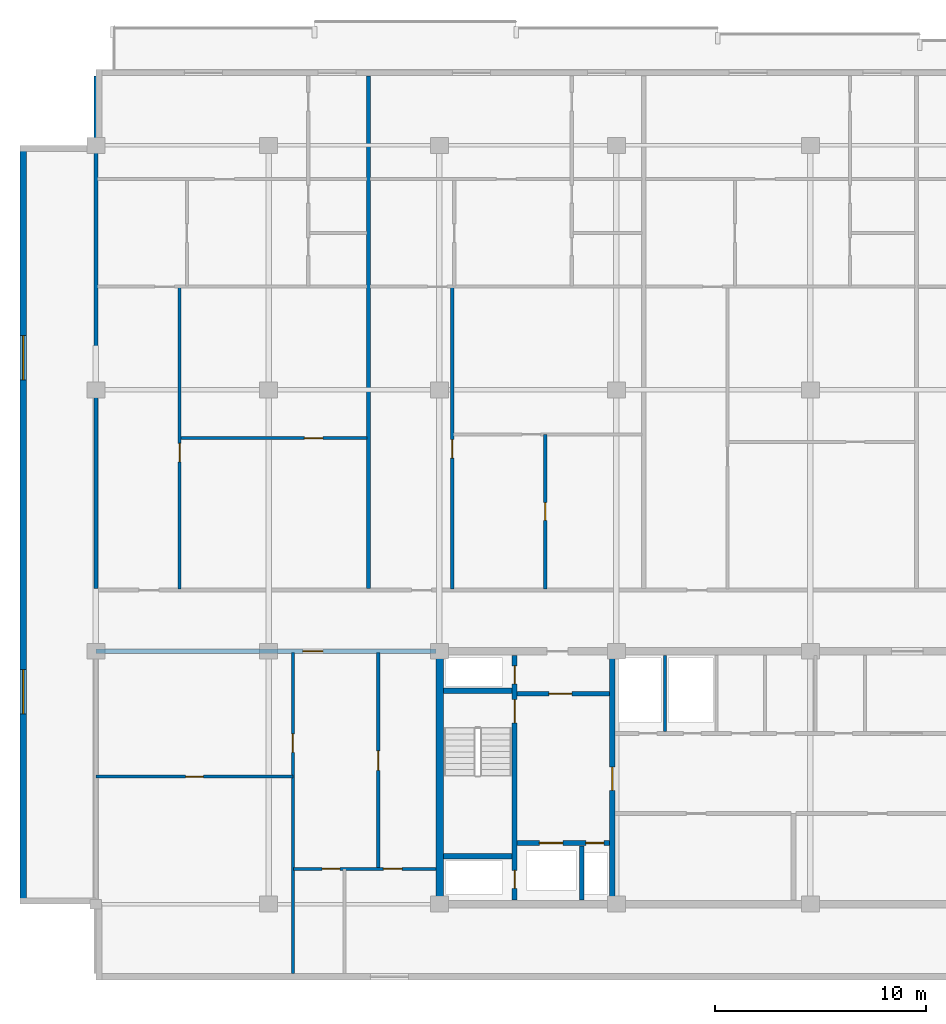
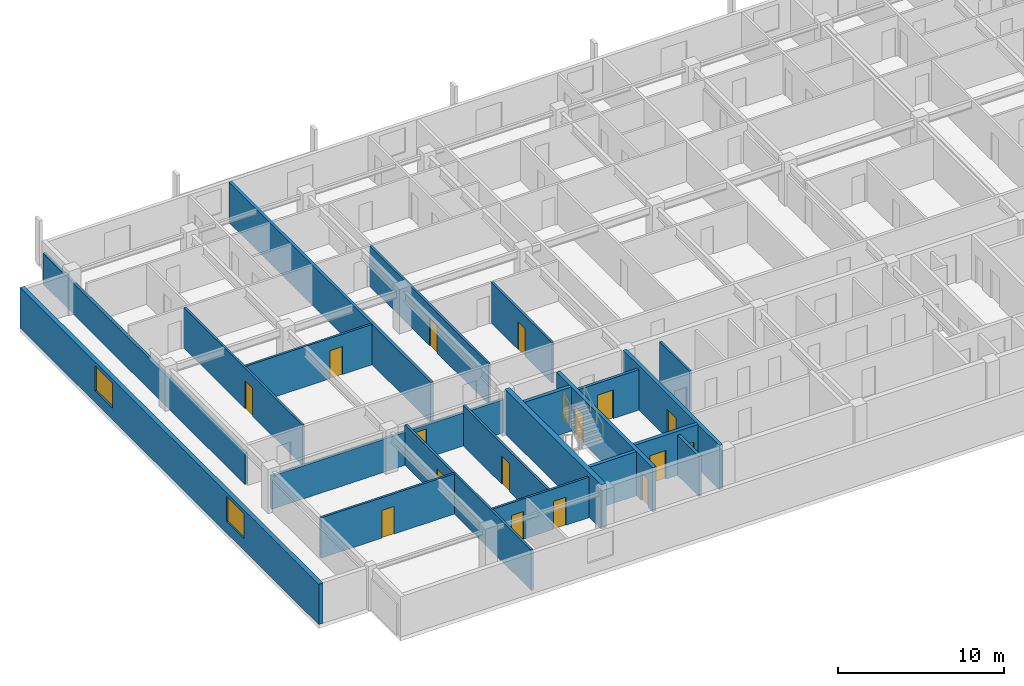
# One storey, part 3 of 11: 21 walls, 17 doors, 2 windows, 19 openings.
"""IFC4 building model written with IfcOpenShell, lengths in metres."""

from ifc_helpers import new_model, si_unit, direction, frame, frame_2d, origin, place, context, subcontext, project, spatial, rectangle, extrude, material, layer, layer_set, type_object, element, fill, save


model = new_model("IFC4")

# Units and contexts
model_context = context("Model", 3, precision=1e-05, world=origin(), true_north=direction((0.0, 1.0)))
body_context = subcontext(model_context, "Body", "Model", "MODEL_VIEW")
ifc_project = project(units=[si_unit("LENGTHUNIT", "METRE"), si_unit("AREAUNIT", "SQUARE_METRE"), si_unit("VOLUMEUNIT", "CUBIC_METRE"), si_unit("PLANEANGLEUNIT", "RADIAN"), si_unit("MASSUNIT", "GRAM", prefix="KILO")], contexts=[model_context])

# Site, building, storey
site_placement = place(None, origin())
site = spatial("IfcSite", under=ifc_project, at=site_placement, CompositionType="ELEMENT")
building_placement = place(site_placement, origin())
building = spatial("IfcBuilding", under=site, at=building_placement, Name="Korimba Cascade Residences", CompositionType="ELEMENT")
storey_placement = place(building_placement, frame((0.0, 0.0, 210.85009765625)))
storey = spatial("IfcBuildingStorey", under=building, at=storey_placement, Name="L61", CompositionType="ELEMENT", Elevation=210.85009765625)

# Wall, openings, windows
ifc_material_1 = material(Name="Precast concrete C40/50", Category="concrete")
ifc_layer_1 = layer(ifc_material_1, 0.300048828125)
ifc_layer_set_1 = layer_set([ifc_layer_1], Name="Precast concrete C40/50")
wall_type_1 = type_object("IfcWallType", Name="EW-STONE-300", PredefinedType="STANDARD", material=ifc_layer_set_1)
wall_1_placement = place(storey_placement, frame((56.35009765625, 91.199951171875, 0.0), z_axis=(0.0, 0.0, 1.0), x_axis=(0.0, -1.0, 0.0)))
wall_1 = element("IfcWall", 1, at=wall_1_placement, inside=storey, type_object=wall_type_1, Name="L61 T1 Perimeter Stone Wall E09", PredefinedType="STANDARD", context=body_context, shape_type="SweptSolid", body=[
    extrude(rectangle(XDim=36.0, YDim=0.300048828125, at=frame_2d((18.0, 0.0))), origin(), (0.0, 0.0, 1.0), 2.969970703125),
])
opening_1_placement = place(wall_1_placement, frame((9.030029296875, 0.0, 0.85009765625)))
opening_1 = element("IfcOpeningElement", 2, at=opening_1_placement, cuts=wall_1, Name="Opening W-03", PredefinedType="OPENING", context=body_context, shape_type="SweptSolid", body=[
    extrude(rectangle(XDim=2.10009765625, YDim=1.85009765625, at=frame_2d((1.050048828125, 0.925048828125))), frame((0.0, 0.16015625, 0.0), z_axis=(0.0, -1.0, 0.0), x_axis=(1.0, 0.0, 0.0)), (0.0, 0.0, 1.0), 0.320068359375),
])
opening_2_placement = place(wall_1_placement, frame((24.8701171875, 0.0, 0.85009765625)))
opening_2 = element("IfcOpeningElement", 3, at=opening_2_placement, cuts=wall_1, Name="Opening W-03", PredefinedType="OPENING", context=body_context, shape_type="SweptSolid", body=[
    extrude(rectangle(XDim=2.10009765625, YDim=1.85009765625, at=frame_2d((1.050048828125, 0.925048828125))), frame((0.0, 0.16015625, 0.0), z_axis=(0.0, -1.0, 0.0), x_axis=(1.0, 0.0, 0.0)), (0.0, 0.0, 1.0), 0.320068359375),
])
ifc_material_2 = material(Name="Double-Glazed Aluminium Window", Category="aluminium")
window_type = type_object("IfcWindowType", Name="WIN-CRN-2100", PartitioningType="DOUBLE_PANEL_HORIZONTAL", PredefinedType="WINDOW", material=ifc_material_2)
window_1_placement = place(opening_1_placement, origin())
window_1 = element("IfcWindow", 4, at=window_1_placement, inside=storey, type_object=window_type, Name="L61 T1 End View Window 9.1", OverallHeight=1.85009765625, OverallWidth=2.10009765625, PartitioningType="DOUBLE_PANEL_HORIZONTAL", PredefinedType="WINDOW", context=body_context, shape_type="SweptSolid", body=[
    extrude(rectangle(XDim=2.10009765625, YDim=1.85009765625, at=frame_2d((1.050048828125, 0.925048828125))), frame((0.0, 0.030029296875, 0.0), z_axis=(0.0, -1.0, 0.0), x_axis=(1.0, 0.0, 0.0)), (0.0, 0.0, 1.0), 0.06005859375),
])
fill(opening_1, window_1)
window_2_placement = place(opening_2_placement, origin())
window_2 = element("IfcWindow", 5, at=window_2_placement, inside=storey, type_object=window_type, Name="L61 T1 End View Window 9.2", OverallHeight=1.85009765625, OverallWidth=2.10009765625, PartitioningType="DOUBLE_PANEL_HORIZONTAL", PredefinedType="WINDOW", context=body_context, shape_type="SweptSolid", body=[
    extrude(rectangle(XDim=2.10009765625, YDim=1.85009765625, at=frame_2d((1.050048828125, 0.925048828125))), frame((0.0, 0.030029296875, 0.0), z_axis=(0.0, -1.0, 0.0), x_axis=(1.0, 0.0, 0.0)), (0.0, 0.0, 1.0), 0.06005859375),
])
fill(opening_2, window_2)

# Wall
ifc_material_3 = material(Name="Concrete C65/80", Category="concrete")
ifc_layer_2 = layer(ifc_material_3, 0.35009765625)
ifc_layer_set_2 = layer_set([ifc_layer_2], Name="Concrete C65/80")
wall_type_2 = type_object("IfcWallType", Name="WAL-CORE-350", PredefinedType="SHEAR", material=ifc_layer_set_2)
wall_2_placement = place(storey_placement, frame((76.125, 55.375, 0.0), z_axis=(0.0, 0.0, 1.0), x_axis=(0.0, 1.0, 0.0)))
element("IfcWall", 6, at=wall_2_placement, inside=storey, type_object=wall_type_2, Name="L61 Core Shear Wall CW-L61-T1-W", PredefinedType="SHEAR", context=body_context, shape_type="SweptSolid", body=[
    extrude(rectangle(XDim=11.64990234375, YDim=0.35009765625, at=frame_2d((5.824951171875, 0.0))), origin(), (0.0, 0.0, 1.0), 3.25),
])

# Wall, opening, door
ifc_layer_3 = layer(ifc_material_1, 0.199951171875)
ifc_layer_set_3 = layer_set([ifc_layer_3], Name="Precast concrete C40/50")
wall_type_3 = type_object("IfcWallType", Name="WAL-IT-200", PredefinedType="PARTITIONING", material=ifc_layer_set_3)
wall_3_placement = place(storey_placement, frame((59.800048828125, 67.199951171875, 0.0), z_axis=(0.0, 0.0, 1.0), x_axis=(1.0, 0.0, 0.0)))
wall_3 = element("IfcWall", 7, at=wall_3_placement, inside=storey, type_object=wall_type_3, Name="L61 Partition Wall WAL-L61-T1-FW-N", PredefinedType="PARTITIONING", context=body_context, shape_type="SweptSolid", body=[
    extrude(rectangle(XDim=16.14990234375, YDim=0.199951171875, at=frame_2d((8.074951171875, 0.0))), origin(), (0.0, 0.0, 1.0), 2.43310546875),
])
opening_3_placement = place(wall_3_placement, frame((9.823486328125, 0.0, 0.0)))
opening_3 = element("IfcOpeningElement", 8, at=opening_3_placement, cuts=wall_3, Name="Opening D-UN1", PredefinedType="OPENING", context=body_context, shape_type="SweptSolid", body=[
    extrude(rectangle(XDim=0.949951171875, YDim=2.14990234375, at=frame_2d((0.47509765625, 1.074951171875))), frame((0.0, 0.10986328125, 0.0), z_axis=(0.0, -1.0, 0.0), x_axis=(1.0, 0.0, 0.0)), (0.0, 0.0, 1.0), 0.219970703125),
])
ifc_material_4 = material(Name="Fire-Rated Hardwood Apartment Entrance Door", Category="wood")
door_type_1 = type_object("IfcDoorType", Name="DR-FD60-950", OperationType="NOTDEFINED", PredefinedType="DOOR", material=ifc_material_4)
door_1_placement = place(opening_3_placement, origin())
door_1 = element("IfcDoor", 9, at=door_1_placement, inside=storey, type_object=door_type_1, Name="L61-T1-FW Entrance Door", OperationType="SINGLE_SWING_LEFT", OverallHeight=2.14990234375, OverallWidth=0.949951171875, PredefinedType="DOOR", context=body_context, shape_type="SweptSolid", body=[
    extrude(rectangle(XDim=0.949951171875, YDim=2.14990234375, at=frame_2d((0.47509765625, 1.074951171875))), frame((0.0, 0.02490234375, 0.0), z_axis=(0.0, -1.0, 0.0), x_axis=(1.0, 0.0, 0.0)), (0.0, 0.0, 1.0), 0.050048828125),
])
fill(opening_3, door_1)

# Walls
wall_4_placement = place(storey_placement, frame((59.800048828125, 70.179931640625, 0.0), z_axis=(0.0, 0.0, 1.0), x_axis=(0.0, 1.0, 0.0)))
element("IfcWall", 10, at=wall_4_placement, inside=storey, type_object=wall_type_3, Name="L61 Partition Wall WAL-L61-T1-BNDWL", PredefinedType="PARTITIONING", context=body_context, shape_type="SweptSolid", body=[
    extrude(rectangle(XDim=24.320068359375, YDim=0.199951171875, at=frame_2d((12.16015625, 0.0))), origin(), (0.0, 0.0, 1.0), 2.277099609375),
])
wall_5_placement = place(storey_placement, frame((72.736083984375, 70.179931640625, 0.0), z_axis=(0.0, 0.0, 1.0), x_axis=(0.0, 1.0, 0.0)))
element("IfcWall", 11, at=wall_5_placement, inside=storey, type_object=wall_type_3, Name="L61 Partition Wall WAL-L61-T1-DEM-1", PredefinedType="PARTITIONING", context=body_context, shape_type="SweptSolid", body=[
    extrude(rectangle(XDim=24.320068359375, YDim=0.199951171875, at=frame_2d((12.16015625, 0.0))), origin(), (0.0, 0.0, 1.0), 2.969970703125),
])
ifc_material_5 = material(Name="Insulated Acoustic Stud Partition", Category="gypsum")
ifc_layer_4 = layer(ifc_material_5, 0.14990234375)
ifc_layer_set_4 = layer_set([ifc_layer_4], Name="Insulated Acoustic Stud Partition")
wall_type_4 = type_object("IfcWallType", Name="WAL-PART-150", PredefinedType="PARTITIONING", material=ifc_layer_set_4)
wall_6_placement = place(storey_placement, frame((86.800048828125, 63.39990234375, 0.0), z_axis=(0.0, 0.0, 1.0), x_axis=(0.0, 1.0, 0.0)))
element("IfcWall", 12, at=wall_6_placement, inside=storey, type_object=wall_type_4, Name="L61 Partition Wall CW-L61-T1-ERDIV", PredefinedType="PARTITIONING", context=body_context, shape_type="SweptSolid", body=[
    extrude(rectangle(XDim=3.60009765625, YDim=0.14990234375, at=frame_2d((1.800048828125, 0.0))), origin(), (0.0, 0.0, 1.0), 2.969970703125),
])

# Wall, opening, door
wall_7_placement = place(storey_placement, frame((59.800048828125, 61.25, 0.0), z_axis=(0.0, 0.0, 1.0), x_axis=(1.0, 0.0, 0.0)))
wall_7 = element("IfcWall", 13, at=wall_7_placement, inside=storey, type_object=wall_type_4, Name="L61 Partition Wall WAL-L61-T1-FW-STH", PredefinedType="PARTITIONING", context=body_context, shape_type="SweptSolid", body=[
    extrude(rectangle(XDim=9.349853515625, YDim=0.14990234375, at=frame_2d((4.6748046875, 0.0))), origin(), (0.0, 0.0, 1.0), 2.969970703125),
])
opening_4_placement = place(wall_7_placement, frame((4.2548828125, 0.0, 0.0)))
opening_4 = element("IfcOpeningElement", 14, at=opening_4_placement, cuts=wall_7, Name="Opening D-BT1", PredefinedType="OPENING", context=body_context, shape_type="SweptSolid", body=[
    extrude(rectangle(XDim=0.840087890625, YDim=2.0400390625, at=frame_2d((0.419921875, 1.02001953125))), frame((0.0, 0.0849609375, 0.0), z_axis=(0.0, -1.0, 0.0), x_axis=(1.0, 0.0, 0.0)), (0.0, 0.0, 1.0), 0.169921875),
])
ifc_material_6 = material(Name="Moisture-Resistant Bathroom Timber Door", Category="wood")
door_type_2 = type_object("IfcDoorType", Name="DR-INT-850", OperationType="NOTDEFINED", PredefinedType="DOOR", material=ifc_material_6)
door_2_placement = place(opening_4_placement, origin())
door_2 = element("IfcDoor", 15, at=door_2_placement, inside=storey, type_object=door_type_2, Name="L61-T1-FW Dressing Store Door", OperationType="SINGLE_SWING_RIGHT", OverallHeight=2.0400390625, OverallWidth=0.840087890625, PredefinedType="DOOR", context=body_context, shape_type="SweptSolid", body=[
    extrude(rectangle(XDim=0.840087890625, YDim=2.0400390625, at=frame_2d((0.419921875, 1.02001953125))), frame((0.0, 0.02490234375, 0.0), z_axis=(0.0, -1.0, 0.0), x_axis=(1.0, 0.0, 0.0)), (0.0, 0.0, 1.0), 0.050048828125),
])
fill(opening_4, door_2)

wall_8_placement = place(storey_placement, frame((69.14990234375, 51.89990234375, 0.0), z_axis=(0.0, 0.0, 1.0), x_axis=(0.0, 1.0, 0.0)))
wall_8 = element("IfcWall", 16, at=wall_8_placement, inside=storey, type_object=wall_type_4, Name="L61 Partition Wall WAL-L61-T1-FW-STV", PredefinedType="PARTITIONING", context=body_context, shape_type="SweptSolid", body=[
    extrude(rectangle(XDim=15.25, YDim=0.14990234375, at=frame_2d((7.625, 0.0))), origin(), (0.0, 0.0, 1.0), 2.969970703125),
])
opening_5_placement = place(wall_8_placement, frame((10.5, 0.0, 0.0)))
opening_5 = element("IfcOpeningElement", 17, at=opening_5_placement, cuts=wall_8, Name="Opening D-IN2", PredefinedType="OPENING", context=body_context, shape_type="SweptSolid", body=[
    extrude(rectangle(XDim=0.8798828125, YDim=2.06005859375, at=frame_2d((0.43994140625, 1.030029296875))), frame((0.0, 0.0849609375, 0.0), z_axis=(0.0, -1.0, 0.0), x_axis=(1.0, 0.0, 0.0)), (0.0, 0.0, 1.0), 0.169921875),
])
ifc_material_7 = material(Name="Acoustic Timber Bedroom Door", Category="wood")
door_type_3 = type_object("IfcDoorType", Name="DR-INT-880", OperationType="NOTDEFINED", PredefinedType="DOOR", material=ifc_material_7)
door_3_placement = place(opening_5_placement, origin())
door_3 = element("IfcDoor", 18, at=door_3_placement, inside=storey, type_object=door_type_3, Name="L61-T1-FW Study Door", OperationType="SINGLE_SWING_LEFT", OverallHeight=2.06005859375, OverallWidth=0.8798828125, PredefinedType="DOOR", context=body_context, shape_type="SweptSolid", body=[
    extrude(rectangle(XDim=0.8798828125, YDim=2.06005859375, at=frame_2d((0.43994140625, 1.030029296875))), frame((0.0, 0.02490234375, 0.0), z_axis=(0.0, -1.0, 0.0), x_axis=(1.0, 0.0, 0.0)), (0.0, 0.0, 1.0), 0.050048828125),
])
fill(opening_5, door_3)

wall_9_placement = place(storey_placement, frame((73.199951171875, 56.8701171875, 0.0), z_axis=(0.0, 0.0, 1.0), x_axis=(0.0, 1.0, 0.0)))
wall_9 = element("IfcWall", 19, at=wall_9_placement, inside=storey, type_object=wall_type_4, Name="L61 Partition Wall WAL-L61-T1-FW-VN", PredefinedType="PARTITIONING", context=body_context, shape_type="SweptSolid", body=[
    extrude(rectangle(XDim=10.27978515625, YDim=0.14990234375, at=frame_2d((5.139892578125, 0.0))), origin(), (0.0, 0.0, 1.0), 2.969970703125),
])
opening_6_placement = place(wall_9_placement, frame((4.679931640625, 0.0, 0.0)))
opening_6 = element("IfcOpeningElement", 20, at=opening_6_placement, cuts=wall_9, Name="Opening D-IN1", PredefinedType="OPENING", context=body_context, shape_type="SweptSolid", body=[
    extrude(rectangle(XDim=0.919921875, YDim=2.080078125, at=frame_2d((0.4599609375, 1.0400390625))), frame((0.0, 0.0849609375, 0.0), z_axis=(0.0, -1.0, 0.0), x_axis=(1.0, 0.0, 0.0)), (0.0, 0.0, 1.0), 0.169921875),
])
ifc_material_8 = material(Name="Acoustic Timber Living Door", Category="wood")
door_type_4 = type_object("IfcDoorType", Name="DR-INT-920", OperationType="NOTDEFINED", PredefinedType="DOOR", material=ifc_material_8)
door_4_placement = place(opening_6_placement, origin())
door_4 = element("IfcDoor", 21, at=door_4_placement, inside=storey, type_object=door_type_4, Name="L61-T1-FW Living Door", OperationType="SINGLE_SWING_RIGHT", OverallHeight=2.080078125, OverallWidth=0.919921875, PredefinedType="DOOR", context=body_context, shape_type="SweptSolid", body=[
    extrude(rectangle(XDim=0.919921875, YDim=2.080078125, at=frame_2d((0.4599609375, 1.0400390625))), frame((0.0, 0.02490234375, 0.0), z_axis=(0.0, -1.0, 0.0), x_axis=(1.0, 0.0, 0.0)), (0.0, 0.0, 1.0), 0.050048828125),
])
fill(opening_6, door_4)

# Wall, openings, doors
wall_10_placement = place(storey_placement, frame((69.169921875, 56.8701171875, 0.0), z_axis=(0.0, 0.0, 1.0), x_axis=(1.0, 0.0, 0.0)))
wall_10 = element("IfcWall", 22, at=wall_10_placement, inside=storey, type_object=wall_type_4, Name="L61 Partition Wall WAL-L61-T1-FW-H", PredefinedType="PARTITIONING", context=body_context, shape_type="SweptSolid", body=[
    extrude(rectangle(XDim=6.760009765625, YDim=0.14990234375, at=frame_2d((3.3798828125, 0.0))), origin(), (0.0, 0.0, 1.0), 2.969970703125),
])
opening_7_placement = place(wall_10_placement, frame((1.3623046875, 0.0, 0.0)))
opening_7 = element("IfcOpeningElement", 23, at=opening_7_placement, cuts=wall_10, Name="Opening D-BT1", PredefinedType="OPENING", context=body_context, shape_type="SweptSolid", body=[
    extrude(rectangle(XDim=0.840087890625, YDim=2.0400390625, at=frame_2d((0.419921875, 1.02001953125))), frame((0.0, 0.0849609375, 0.0), z_axis=(0.0, -1.0, 0.0), x_axis=(1.0, 0.0, 0.0)), (0.0, 0.0, 1.0), 0.169921875),
])
opening_8_placement = place(wall_10_placement, frame((4.276611328125, 0.0, 0.0)))
opening_8 = element("IfcOpeningElement", 24, at=opening_8_placement, cuts=wall_10, Name="Opening D-IN2", PredefinedType="OPENING", context=body_context, shape_type="SweptSolid", body=[
    extrude(rectangle(XDim=0.8798828125, YDim=2.06005859375, at=frame_2d((0.43994140625, 1.030029296875))), frame((0.0, 0.0849609375, 0.0), z_axis=(0.0, -1.0, 0.0), x_axis=(1.0, 0.0, 0.0)), (0.0, 0.0, 1.0), 0.169921875),
])
door_5_placement = place(opening_7_placement, origin())
door_5 = element("IfcDoor", 25, at=door_5_placement, inside=storey, type_object=door_type_2, Name="L61-T1-FW Bathroom Door", OperationType="SINGLE_SWING_LEFT", OverallHeight=2.0400390625, OverallWidth=0.840087890625, PredefinedType="DOOR", context=body_context, shape_type="SweptSolid", body=[
    extrude(rectangle(XDim=0.840087890625, YDim=2.0400390625, at=frame_2d((0.419921875, 1.02001953125))), frame((0.0, 0.02490234375, 0.0), z_axis=(0.0, -1.0, 0.0), x_axis=(1.0, 0.0, 0.0)), (0.0, 0.0, 1.0), 0.050048828125),
])
fill(opening_7, door_5)
door_6_placement = place(opening_8_placement, origin())
door_6 = element("IfcDoor", 26, at=door_6_placement, inside=storey, type_object=door_type_3, Name="L61-T1-FW Bedroom Door", OperationType="SINGLE_SWING_RIGHT", OverallHeight=2.06005859375, OverallWidth=0.8798828125, PredefinedType="DOOR", context=body_context, shape_type="SweptSolid", body=[
    extrude(rectangle(XDim=0.8798828125, YDim=2.06005859375, at=frame_2d((0.43994140625, 1.030029296875))), frame((0.0, 0.02490234375, 0.0), z_axis=(0.0, -1.0, 0.0), x_axis=(1.0, 0.0, 0.0)), (0.0, 0.0, 1.0), 0.050048828125),
])
fill(opening_8, door_6)

# Wall, opening, door
wall_11_placement = place(storey_placement, frame((63.830078125, 77.31005859375, 0.0), z_axis=(0.0, 0.0, 1.0), x_axis=(1.0, 0.0, 0.0)))
wall_11 = element("IfcWall", 27, at=wall_11_placement, inside=storey, type_object=wall_type_4, Name="L61 Partition Wall WAL-L61-T1-U01-FMH", PredefinedType="PARTITIONING", context=body_context, shape_type="SweptSolid", body=[
    extrude(rectangle(XDim=8.825927734375, YDim=0.14990234375, at=frame_2d((4.4130859375, 0.0))), origin(), (0.0, 0.0, 1.0), 2.969970703125),
])
opening_9_placement = place(wall_11_placement, frame((5.85693359375, 0.0, 0.0)))
opening_9 = element("IfcOpeningElement", 28, at=opening_9_placement, cuts=wall_11, Name="Opening D-IN2", PredefinedType="OPENING", context=body_context, shape_type="SweptSolid", body=[
    extrude(rectangle(XDim=0.8798828125, YDim=2.06005859375, at=frame_2d((0.43994140625, 1.030029296875))), frame((0.0, 0.0849609375, 0.0), z_axis=(0.0, -1.0, 0.0), x_axis=(1.0, 0.0, 0.0)), (0.0, 0.0, 1.0), 0.169921875),
])
door_7_placement = place(opening_9_placement, origin())
door_7 = element("IfcDoor", 29, at=door_7_placement, inside=storey, type_object=door_type_3, Name="L61-T1-U01 Library Salon Door", OperationType="SINGLE_SWING_RIGHT", OverallHeight=2.06005859375, OverallWidth=0.8798828125, PredefinedType="DOOR", context=body_context, shape_type="SweptSolid", body=[
    extrude(rectangle(XDim=0.8798828125, YDim=2.06005859375, at=frame_2d((0.43994140625, 1.030029296875))), frame((0.0, 0.02490234375, 0.0), z_axis=(0.0, -1.0, 0.0), x_axis=(1.0, 0.0, 0.0)), (0.0, 0.0, 1.0), 0.050048828125),
])
fill(opening_9, door_7)

wall_12_placement = place(storey_placement, frame((63.77001953125, 70.159912109375, 0.0), z_axis=(0.0, 0.0, 1.0), x_axis=(0.0, 1.0, 0.0)))
wall_12 = element("IfcWall", 30, at=wall_12_placement, inside=storey, type_object=wall_type_4, Name="L61 Partition Wall WAL-L61-T1-U01-FV", PredefinedType="PARTITIONING", context=body_context, shape_type="SweptSolid", body=[
    extrude(rectangle(XDim=14.300048828125, YDim=0.14990234375, at=frame_2d((7.14990234375, 0.0))), origin(), (0.0, 0.0, 1.0), 2.969970703125),
])
opening_10_placement = place(wall_12_placement, frame((6.02001953125, 0.0, 0.0)))
opening_10 = element("IfcOpeningElement", 31, at=opening_10_placement, cuts=wall_12, Name="Opening D-IN2", PredefinedType="OPENING", context=body_context, shape_type="SweptSolid", body=[
    extrude(rectangle(XDim=0.8798828125, YDim=2.06005859375, at=frame_2d((0.43994140625, 1.030029296875))), frame((0.0, 0.0849609375, 0.0), z_axis=(0.0, -1.0, 0.0), x_axis=(1.0, 0.0, 0.0)), (0.0, 0.0, 1.0), 0.169921875),
])
door_8_placement = place(opening_10_placement, origin())
door_8 = element("IfcDoor", 32, at=door_8_placement, inside=storey, type_object=door_type_3, Name="L61-T1-U01 Media Lounge Door", OperationType="SINGLE_SWING_LEFT", OverallHeight=2.06005859375, OverallWidth=0.8798828125, PredefinedType="DOOR", context=body_context, shape_type="SweptSolid", body=[
    extrude(rectangle(XDim=0.8798828125, YDim=2.06005859375, at=frame_2d((0.43994140625, 1.030029296875))), frame((0.0, 0.02490234375, 0.0), z_axis=(0.0, -1.0, 0.0), x_axis=(1.0, 0.0, 0.0)), (0.0, 0.0, 1.0), 0.050048828125),
])
fill(opening_10, door_8)

wall_13_placement = place(storey_placement, frame((81.123046875, 70.159912109375, 0.0), z_axis=(0.0, 0.0, 1.0), x_axis=(0.0, 1.0, 0.0)))
wall_13 = element("IfcWall", 33, at=wall_13_placement, inside=storey, type_object=wall_type_4, Name="L61 Partition Wall WAL-L61-T1-U02-FMV", PredefinedType="PARTITIONING", context=body_context, shape_type="SweptSolid", body=[
    extrude(rectangle(XDim=7.330078125, YDim=0.14990234375, at=frame_2d((3.6650390625, 0.0))), origin(), (0.0, 0.0, 1.0), 2.969970703125),
])
opening_11_placement = place(wall_13_placement, frame((3.2451171875, 0.0, 0.0)))
opening_11 = element("IfcOpeningElement", 34, at=opening_11_placement, cuts=wall_13, Name="Opening D-BT1", PredefinedType="OPENING", context=body_context, shape_type="SweptSolid", body=[
    extrude(rectangle(XDim=0.840087890625, YDim=2.0400390625, at=frame_2d((0.419921875, 1.02001953125))), frame((0.0, 0.0849609375, 0.0), z_axis=(0.0, -1.0, 0.0), x_axis=(1.0, 0.0, 0.0)), (0.0, 0.0, 1.0), 0.169921875),
])
door_9_placement = place(opening_11_placement, origin())
door_9 = element("IfcDoor", 35, at=door_9_placement, inside=storey, type_object=door_type_2, Name="L61-T1-U02 Wardrobe Door", OperationType="SINGLE_SWING_RIGHT", OverallHeight=2.0400390625, OverallWidth=0.840087890625, PredefinedType="DOOR", context=body_context, shape_type="SweptSolid", body=[
    extrude(rectangle(XDim=0.840087890625, YDim=2.0400390625, at=frame_2d((0.419921875, 1.02001953125))), frame((0.0, 0.02490234375, 0.0), z_axis=(0.0, -1.0, 0.0), x_axis=(1.0, 0.0, 0.0)), (0.0, 0.0, 1.0), 0.050048828125),
])
fill(opening_11, door_9)

wall_14_placement = place(storey_placement, frame((76.7060546875, 70.159912109375, 0.0), z_axis=(0.0, 0.0, 1.0), x_axis=(0.0, 1.0, 0.0)))
wall_14 = element("IfcWall", 36, at=wall_14_placement, inside=storey, type_object=wall_type_4, Name="L61 Partition Wall WAL-L61-T1-U02-FV", PredefinedType="PARTITIONING", context=body_context, shape_type="SweptSolid", body=[
    extrude(rectangle(XDim=14.300048828125, YDim=0.14990234375, at=frame_2d((7.14990234375, 0.0))), origin(), (0.0, 0.0, 1.0), 2.969970703125),
])
opening_12_placement = place(wall_14_placement, frame((6.199951171875, 0.0, 0.0)))
opening_12 = element("IfcOpeningElement", 37, at=opening_12_placement, cuts=wall_14, Name="Opening D-IN2", PredefinedType="OPENING", context=body_context, shape_type="SweptSolid", body=[
    extrude(rectangle(XDim=0.8798828125, YDim=2.06005859375, at=frame_2d((0.43994140625, 1.030029296875))), frame((0.0, 0.0849609375, 0.0), z_axis=(0.0, -1.0, 0.0), x_axis=(1.0, 0.0, 0.0)), (0.0, 0.0, 1.0), 0.169921875),
])
door_10_placement = place(opening_12_placement, origin())
door_10 = element("IfcDoor", 38, at=door_10_placement, inside=storey, type_object=door_type_3, Name="L61-T1-U02 Media Lounge Door", OperationType="SINGLE_SWING_RIGHT", OverallHeight=2.06005859375, OverallWidth=0.8798828125, PredefinedType="DOOR", context=body_context, shape_type="SweptSolid", body=[
    extrude(rectangle(XDim=0.8798828125, YDim=2.06005859375, at=frame_2d((0.43994140625, 1.030029296875))), frame((0.0, 0.02490234375, 0.0), z_axis=(0.0, -1.0, 0.0), x_axis=(1.0, 0.0, 0.0)), (0.0, 0.0, 1.0), 0.050048828125),
])
fill(opening_12, door_10)

# Wall
ifc_material_9 = material(Name="Concrete C40/50", Category="concrete")
ifc_layer_5 = layer(ifc_material_9, 0.199951171875)
ifc_layer_set_5 = layer_set([ifc_layer_5], Name="Concrete C40/50")
wall_type_5 = type_object("IfcWallType", Name="WAL-PART-200", PredefinedType="PARTITIONING", material=ifc_layer_set_5)
wall_15_placement = place(storey_placement, frame((82.85009765625, 55.39990234375, 0.0), z_axis=(0.0, 0.0, 1.0), x_axis=(0.0, 1.0, 0.0)))
element("IfcWall", 39, at=wall_15_placement, inside=storey, type_object=wall_type_5, Name="L61 Partition Wall CW-L61-T1-FFLDIV", PredefinedType="PARTITIONING", context=body_context, shape_type="SweptSolid", body=[
    extrude(rectangle(XDim=2.56005859375, YDim=0.199951171875, at=frame_2d((1.280029296875, 0.0))), origin(), (0.0, 0.0, 1.0), 2.969970703125),
])

# Wall, opening, door
wall_16_placement = place(storey_placement, frame((79.7900390625, 65.179931640625, 0.0), z_axis=(0.0, 0.0, 1.0), x_axis=(1.0, 0.0, 0.0)))
wall_16 = element("IfcWall", 40, at=wall_16_placement, inside=storey, type_object=wall_type_5, Name="L61 Partition Wall CW-L61-T1-FFLN", PredefinedType="PARTITIONING", context=body_context, shape_type="SweptSolid", body=[
    extrude(rectangle(XDim=4.389892578125, YDim=0.199951171875, at=frame_2d((2.19482421875, 0.0))), origin(), (0.0, 0.0, 1.0), 2.969970703125),
])
opening_13_placement = place(wall_16_placement, frame((1.5, 0.0, 0.0)))
opening_13 = element("IfcOpeningElement", 41, at=opening_13_placement, cuts=wall_16, Name="Opening D-FD1", PredefinedType="OPENING", context=body_context, shape_type="SweptSolid", body=[
    extrude(rectangle(XDim=1.10009765625, YDim=2.10009765625, at=frame_2d((0.550048828125, 1.050048828125))), frame((0.0, 0.10986328125, 0.0), z_axis=(0.0, -1.0, 0.0), x_axis=(1.0, 0.0, 0.0)), (0.0, 0.0, 1.0), 0.219970703125),
])
ifc_material_10 = material(Name="Fire-Rated Steel Core Door", Category="steel")
door_type_5 = type_object("IfcDoorType", Name="DR-FD120-1100", OperationType="NOTDEFINED", PredefinedType="DOOR", material=ifc_material_10)
door_11_placement = place(opening_13_placement, origin())
door_11 = element("IfcDoor", 42, at=door_11_placement, inside=storey, type_object=door_type_5, Name="L61 West Firefighting Lobby Door", OperationType="SINGLE_SWING_LEFT", OverallHeight=2.10009765625, OverallWidth=1.10009765625, PredefinedType="DOOR", context=body_context, shape_type="SweptSolid", body=[
    extrude(rectangle(XDim=1.10009765625, YDim=2.10009765625, at=frame_2d((0.550048828125, 1.050048828125))), frame((0.0, 0.02490234375, 0.0), z_axis=(0.0, -1.0, 0.0), x_axis=(1.0, 0.0, 0.0)), (0.0, 0.0, 1.0), 0.050048828125),
])
fill(opening_13, door_11)

# Wall, openings, doors
ifc_material_11 = material(Name="Concrete C50/60", Category="concrete")
ifc_layer_6 = layer(ifc_material_11, 0.25)
ifc_layer_set_6 = layer_set([ifc_layer_6], Name="Concrete C50/60")
wall_type_6 = type_object("IfcWallType", Name="WAL-SHAFT-250", PredefinedType="SHEAR", material=ifc_layer_set_6)
wall_17_placement = place(storey_placement, frame((79.6650390625, 55.39990234375, 0.0), z_axis=(0.0, 0.0, 1.0), x_axis=(0.0, 1.0, 0.0)))
wall_17 = element("IfcWall", 43, at=wall_17_placement, inside=storey, type_object=wall_type_6, Name="L61 Core Shear Wall CW-L61-T1-STW1E", PredefinedType="SHEAR", context=body_context, shape_type="SweptSolid", body=[
    extrude(rectangle(XDim=11.60009765625, YDim=0.25, at=frame_2d((5.800048828125, 0.0))), origin(), (0.0, 0.0, 1.0), 3.25),
])
opening_14_placement = place(wall_17_placement, frame((0.550048828125, 0.0, 0.0)))
opening_14 = element("IfcOpeningElement", 44, at=opening_14_placement, cuts=wall_17, Name="Opening D-RS1", PredefinedType="OPENING", context=body_context, shape_type="SweptSolid", body=[
    extrude(rectangle(XDim=0.85009765625, YDim=2.050048828125, at=frame_2d((0.425048828125, 1.02490234375))), frame((0.0, 0.135009765625, 0.0), z_axis=(0.0, -1.0, 0.0), x_axis=(1.0, 0.0, 0.0)), (0.0, 0.0, 1.0), 0.27001953125),
])
opening_15_placement = place(wall_17_placement, frame((8.39990234375, 0.0, 0.0)))
opening_15 = element("IfcOpeningElement", 45, at=opening_15_placement, cuts=wall_17, Name="Opening D-FD1", PredefinedType="OPENING", context=body_context, shape_type="SweptSolid", body=[
    extrude(rectangle(XDim=1.10009765625, YDim=2.10009765625, at=frame_2d((0.550048828125, 1.050048828125))), frame((0.0, 0.135009765625, 0.0), z_axis=(0.0, -1.0, 0.0), x_axis=(1.0, 0.0, 0.0)), (0.0, 0.0, 1.0), 0.27001953125),
])
opening_16_placement = place(wall_17_placement, frame((10.25, 0.0, 0.0)))
opening_16 = element("IfcOpeningElement", 46, at=opening_16_placement, cuts=wall_17, Name="Opening D-RS1", PredefinedType="OPENING", context=body_context, shape_type="SweptSolid", body=[
    extrude(rectangle(XDim=0.85009765625, YDim=2.050048828125, at=frame_2d((0.425048828125, 1.02490234375))), frame((0.0, 0.135009765625, 0.0), z_axis=(0.0, -1.0, 0.0), x_axis=(1.0, 0.0, 0.0)), (0.0, 0.0, 1.0), 0.27001953125),
])
door_12_placement = place(opening_15_placement, origin())
door_12 = element("IfcDoor", 47, at=door_12_placement, inside=storey, type_object=door_type_5, Name="L61 Fire Stair ST-W1 Door", OperationType="SINGLE_SWING_RIGHT", OverallHeight=2.10009765625, OverallWidth=1.10009765625, PredefinedType="DOOR", context=body_context, shape_type="SweptSolid", body=[
    extrude(rectangle(XDim=1.10009765625, YDim=2.10009765625, at=frame_2d((0.550048828125, 1.050048828125))), frame((0.0, 0.02490234375, 0.0), z_axis=(0.0, -1.0, 0.0), x_axis=(1.0, 0.0, 0.0)), (0.0, 0.0, 1.0), 0.050048828125),
])
fill(opening_15, door_12)
ifc_material_12 = material(Name="Fire-Rated Steel Riser Access Door", Category="steel")
door_type_6 = type_object("IfcDoorType", Name="DR-FD60-850", OperationType="NOTDEFINED", PredefinedType="DOOR", material=ifc_material_12)
door_13_placement = place(opening_14_placement, origin())
door_13 = element("IfcDoor", 48, at=door_13_placement, inside=storey, type_object=door_type_6, Name="L61 Smoke Riser Access Door", OperationType="SINGLE_SWING_LEFT", OverallHeight=2.050048828125, OverallWidth=0.85009765625, PredefinedType="DOOR", context=body_context, shape_type="SweptSolid", body=[
    extrude(rectangle(XDim=0.85009765625, YDim=2.050048828125, at=frame_2d((0.425048828125, 1.02490234375))), frame((0.0, 0.02490234375, 0.0), z_axis=(0.0, -1.0, 0.0), x_axis=(1.0, 0.0, 0.0)), (0.0, 0.0, 1.0), 0.050048828125),
])
fill(opening_14, door_13)
door_14_placement = place(opening_16_placement, origin())
door_14 = element("IfcDoor", 49, at=door_14_placement, inside=storey, type_object=door_type_6, Name="L61 Hydrant Riser Access Door", OperationType="SINGLE_SWING_LEFT", OverallHeight=2.050048828125, OverallWidth=0.85009765625, PredefinedType="DOOR", context=body_context, shape_type="SweptSolid", body=[
    extrude(rectangle(XDim=0.85009765625, YDim=2.050048828125, at=frame_2d((0.425048828125, 1.02490234375))), frame((0.0, 0.02490234375, 0.0), z_axis=(0.0, -1.0, 0.0), x_axis=(1.0, 0.0, 0.0)), (0.0, 0.0, 1.0), 0.050048828125),
])
fill(opening_16, door_14)

# Walls
for number, where, z_axis, x_axis, name in (
    (50, (76.300048828125, 57.47509765625, 0.0), (0.0, 0.0, 1.0), (1.0, 0.0, 0.0), "L61 Core Shear Wall CW-L61-T1-STW1S"),
    (51, (76.300048828125, 65.324951171875, 0.0), (0.0, 0.0, 1.0), (1.0, 0.0, 0.0), "L61 Core Shear Wall CW-L61-T1-STW1N"),
):
    element("IfcWall", number, at=place(storey_placement, frame(where, z_axis=z_axis, x_axis=x_axis)), inside=storey, type_object=wall_type_6, Name=name, PredefinedType="SHEAR", context=body_context, shape_type="SweptSolid", body=[
        extrude(rectangle(XDim=3.239990234375, YDim=0.25, at=frame_2d((1.6201171875, 0.0))), origin(), (0.0, 0.0, 1.0), 3.25),
    ])

# Wall, openings, doors
wall_18_placement = place(storey_placement, frame((79.7900390625, 58.10009765625, 0.0), z_axis=(0.0, 0.0, 1.0), x_axis=(1.0, 0.0, 0.0)))
wall_18 = element("IfcWall", 52, at=wall_18_placement, inside=storey, type_object=wall_type_6, Name="L61 Core Shear Wall CW-L61-T1-FFLS", PredefinedType="SHEAR", context=body_context, shape_type="SweptSolid", body=[
    extrude(rectangle(XDim=4.389892578125, YDim=0.25, at=frame_2d((2.19482421875, 0.0))), origin(), (0.0, 0.0, 1.0), 3.25),
])
opening_17_placement = place(wall_18_placement, frame((1.050048828125, 0.0, 0.0)))
opening_17 = element("IfcOpeningElement", 53, at=opening_17_placement, cuts=wall_18, Name="Opening LD-01", PredefinedType="OPENING", context=body_context, shape_type="SweptSolid", body=[
    extrude(rectangle(XDim=1.1201171875, YDim=2.1201171875, at=frame_2d((0.56005859375, 1.06005859375))), frame((0.0, 0.135009765625, 0.0), z_axis=(0.0, -1.0, 0.0), x_axis=(1.0, 0.0, 0.0)), (0.0, 0.0, 1.0), 0.27001953125),
])
opening_18_placement = place(wall_18_placement, frame((3.260009765625, 0.0, 0.0)))
opening_18 = element("IfcOpeningElement", 54, at=opening_18_placement, cuts=wall_18, Name="Opening D-RS1", PredefinedType="OPENING", context=body_context, shape_type="SweptSolid", body=[
    extrude(rectangle(XDim=0.85009765625, YDim=2.050048828125, at=frame_2d((0.425048828125, 1.02490234375))), frame((0.0, 0.135009765625, 0.0), z_axis=(0.0, -1.0, 0.0), x_axis=(1.0, 0.0, 0.0)), (0.0, 0.0, 1.0), 0.27001953125),
])
door_15_placement = place(opening_18_placement, origin())
door_15 = element("IfcDoor", 55, at=door_15_placement, inside=storey, type_object=door_type_6, Name="L61 Pressurisation Riser Door", OperationType="SINGLE_SWING_RIGHT", OverallHeight=2.050048828125, OverallWidth=0.85009765625, PredefinedType="DOOR", context=body_context, shape_type="SweptSolid", body=[
    extrude(rectangle(XDim=0.85009765625, YDim=2.050048828125, at=frame_2d((0.425048828125, 1.02490234375))), frame((0.0, 0.02490234375, 0.0), z_axis=(0.0, -1.0, 0.0), x_axis=(1.0, 0.0, 0.0)), (0.0, 0.0, 1.0), 0.050048828125),
])
fill(opening_18, door_15)
ifc_material_13 = material(Name="Stainless Steel Lift Landing Sliding Door", Category="steel")
door_type_7 = type_object("IfcDoorType", Name="DR-LIFT-1100", OperationType="NOTDEFINED", PredefinedType="DOOR", material=ifc_material_13)
door_16_placement = place(opening_17_placement, origin())
door_16 = element("IfcDoor", 56, at=door_16_placement, inside=storey, type_object=door_type_7, Name="L61 Firefighting Lift Landing Door FFL-W1", OperationType="SLIDING_TO_LEFT", OverallHeight=2.1201171875, OverallWidth=1.1201171875, PredefinedType="DOOR", context=body_context, shape_type="SweptSolid", body=[
    extrude(rectangle(XDim=1.1201171875, YDim=2.1201171875, at=frame_2d((0.56005859375, 1.06005859375))), frame((0.0, 0.02490234375, 0.0), z_axis=(0.0, -1.0, 0.0), x_axis=(1.0, 0.0, 0.0)), (0.0, 0.0, 1.0), 0.050048828125),
])
fill(opening_17, door_16)

# Wall, opening, door
wall_19_placement = place(storey_placement, frame((84.300048828125, 55.39990234375, 0.0), z_axis=(0.0, 0.0, 1.0), x_axis=(0.0, 1.0, 0.0)))
wall_19 = element("IfcWall", 57, at=wall_19_placement, inside=storey, type_object=wall_type_6, Name="L61 Core Shear Wall CW-L61-T1-FFLE", PredefinedType="SHEAR", context=body_context, shape_type="SweptSolid", body=[
    extrude(rectangle(XDim=11.60009765625, YDim=0.25, at=frame_2d((5.800048828125, 0.0))), origin(), (0.0, 0.0, 1.0), 3.25),
])
opening_19_placement = place(wall_19_placement, frame((5.199951171875, 0.0, 0.0)))
opening_19 = element("IfcOpeningElement", 58, at=opening_19_placement, cuts=wall_19, Name="Opening D-FD1", PredefinedType="OPENING", context=body_context, shape_type="SweptSolid", body=[
    extrude(rectangle(XDim=1.10009765625, YDim=2.10009765625, at=frame_2d((0.550048828125, 1.050048828125))), frame((0.0, 0.135009765625, 0.0), z_axis=(0.0, -1.0, 0.0), x_axis=(1.0, 0.0, 0.0)), (0.0, 0.0, 1.0), 0.27001953125),
])
door_17_placement = place(opening_19_placement, origin())
door_17 = element("IfcDoor", 59, at=door_17_placement, inside=storey, type_object=door_type_5, Name="L61 Firefighting Lobby to Lift Lobby Door", OperationType="SINGLE_SWING_RIGHT", OverallHeight=2.10009765625, OverallWidth=1.10009765625, PredefinedType="DOOR", context=body_context, shape_type="SweptSolid", body=[
    extrude(rectangle(XDim=1.10009765625, YDim=2.10009765625, at=frame_2d((0.550048828125, 1.050048828125))), frame((0.0, 0.02490234375, 0.0), z_axis=(0.0, -1.0, 0.0), x_axis=(1.0, 0.0, 0.0)), (0.0, 0.0, 1.0), 0.050048828125),
])
fill(opening_19, door_17)

save(model, "model.ifc")
